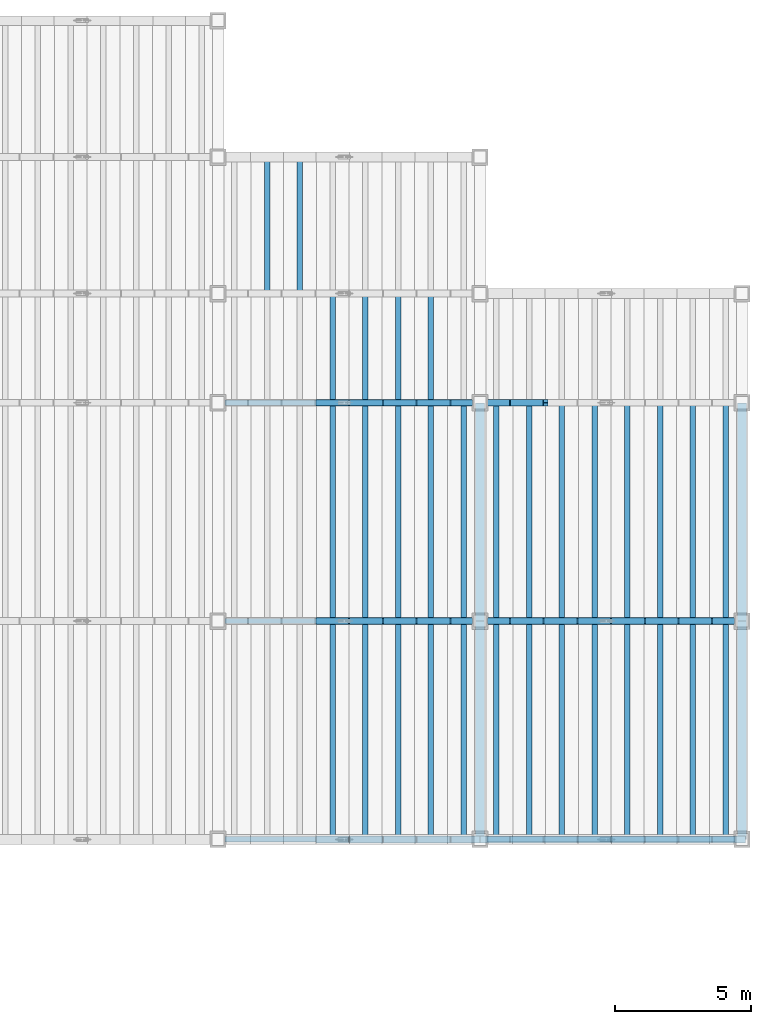
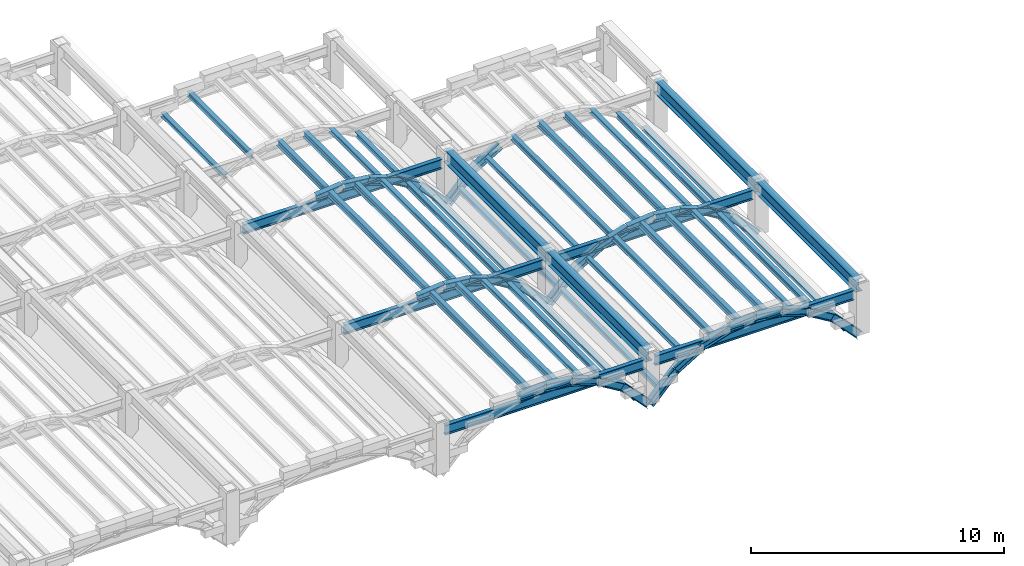
# One storey, part 26 of 70: 65 members, 9 beams.
"""IFC4 building model written with IfcOpenShell, lengths in metres."""

from ifc_helpers import new_model, si_unit, direction, frame, origin, origin_2d, place, context, subcontext, project, spatial, i_section, extrude, material, material_profile, profile_set, type_object, element, save


model = new_model("IFC4")

# Units and contexts
model_context = context("Model", 3, precision=1e-05, world=origin(), true_north=direction((0.0, 1.0)))
body_context = subcontext(model_context, "Body", "Model", "MODEL_VIEW")
ifc_project = project(units=[si_unit("LENGTHUNIT", "METRE"), si_unit("AREAUNIT", "SQUARE_METRE"), si_unit("VOLUMEUNIT", "CUBIC_METRE"), si_unit("PLANEANGLEUNIT", "RADIAN"), si_unit("MASSUNIT", "GRAM", prefix="KILO")], contexts=[model_context])

# Site, building, storey
site_placement = place(None, origin())
site = spatial("IfcSite", under=ifc_project, at=site_placement, CompositionType="ELEMENT")
building_placement = place(site_placement, origin())
building = spatial("IfcBuilding", under=site, at=building_placement, Name="Mavantir Sound Aquarium", CompositionType="ELEMENT")
storey_placement = place(building_placement, frame((0.0, 0.0, 27.0)))
storey = spatial("IfcBuildingStorey", under=building, at=storey_placement, Name="RF", CompositionType="ELEMENT", Elevation=27.0)

# Beams
ifc_material = material(Name="Structural Steel ASTM A992 Gr50", Category="steel")
ifc_material_profile_1 = material_profile(ifc_material, i_section(OverallWidth=0.194091796875, OverallDepth=0.468994140625, WebThickness=0.0126953125, FlangeThickness=0.0205078125, FilletRadius=0.01611328125, at=origin_2d()), Name="W460X106")
ifc_profile_set_1 = profile_set([ifc_material_profile_1], Name="Structural Steel ASTM A992 Gr50")
beam_type_1 = type_object("IfcBeamType", Name="BM-W460X106-I", PredefinedType="BEAM", material=ifc_profile_set_1)
for number, where, z_axis, x_axis, name in (
    (1, (156.25, 40.800048828125, -5.327392578125), (1.0, 0.0, 0.0), (0.0, 1.0, 0.0), "Scalloped bay 6 transverse tie girder 401"),
    (2, (156.25, 48.800048828125, -5.327392578125), (1.0, 0.0, 0.0), (0.0, 1.0, 0.0), "Scalloped bay 6 transverse tie girder 411"),
    (3, (156.25, 56.800048828125, -5.327392578125), (1.0, 0.0, 0.0), (0.0, 1.0, 0.0), "Scalloped bay 6 transverse tie girder 421"),
):
    element("IfcBeam", number, at=place(storey_placement, frame(where, z_axis=z_axis, x_axis=x_axis)), inside=storey, type_object=beam_type_1, Name=name, PredefinedType="BEAM", context=body_context, shape_type="SweptSolid", body=[
        extrude(i_section(OverallWidth=0.194091796875, OverallDepth=0.468994140625, WebThickness=0.0126953125, FlangeThickness=0.0205078125, FilletRadius=0.01611328125, at=origin_2d()), origin(), (0.0, 0.0, 1.0), 9.10009765625),
    ])
for number, where, z_axis, x_axis, name in (
    (4, (165.85009765625, 40.800048828125, -5.327392578125), (1.0, 0.0, 0.0), (0.0, 1.0, 0.0), "Scalloped bay 7 transverse tie girder 451"),
    (5, (165.85009765625, 48.800048828125, -5.327392578125), (1.0, 0.0, 0.0), (0.0, 1.0, 0.0), "Scalloped bay 7 transverse tie girder 461"),
):
    element("IfcBeam", number, at=place(storey_placement, frame(where, z_axis=z_axis, x_axis=x_axis)), inside=storey, type_object=beam_type_1, Name=name, PredefinedType="BEAM", context=body_context, shape_type="SweptSolid", body=[
        extrude(i_section(OverallWidth=0.194091796875, OverallDepth=0.468994140625, WebThickness=0.0126953125, FlangeThickness=0.0205078125, FilletRadius=0.01611328125, at=origin_2d()), origin(), (0.0, 0.0, 1.0), 9.099853515625),
    ])
ifc_material_profile_2 = material_profile(ifc_material, i_section(OverallWidth=0.323974609375, OverallDepth=0.611083984375, WebThickness=0.0126953125, FlangeThickness=0.01904296875, FilletRadius=0.01904296875, at=origin_2d()), Name="W610X155")
ifc_profile_set_2 = profile_set([ifc_material_profile_2], Name="Structural Steel ASTM A992 Gr50")
beam_type_2 = type_object("IfcBeamType", Name="BM-W610X155-E", PredefinedType="BEAM", material=ifc_profile_set_2)
for number, where, z_axis, x_axis, name in (
    (6, (165.60009765625, 40.800048828125, -5.0048828125), (0.0, 1.0, 0.0), (-1.0, 0.0, 0.0), "Scalloped roof straight ridge beam 45"),
    (7, (165.60009765625, 48.800048828125, -5.0048828125), (0.0, 1.0, 0.0), (-1.0, 0.0, 0.0), "Scalloped roof straight ridge beam 46"),
    (8, (175.199951171875, 40.800048828125, -5.0048828125), (0.0, 1.0, 0.0), (-1.0, 0.0, 0.0), "Scalloped roof straight ridge beam 49"),
    (9, (175.199951171875, 48.800048828125, -5.0048828125), (0.0, 1.0, 0.0), (-1.0, 0.0, 0.0), "Scalloped roof straight ridge beam 50"),
):
    element("IfcBeam", number, at=place(storey_placement, frame(where, z_axis=z_axis, x_axis=x_axis)), inside=storey, type_object=beam_type_2, Name=name, PredefinedType="BEAM", context=body_context, shape_type="SweptSolid", body=[
        extrude(i_section(OverallWidth=0.323974609375, OverallDepth=0.611083984375, WebThickness=0.0126953125, FlangeThickness=0.01904296875, FilletRadius=0.01904296875, at=origin_2d()), origin(), (0.0, 0.0, 1.0), 8.0),
    ])

# Members
ifc_material_profile_3 = material_profile(ifc_material, i_section(OverallWidth=0.202880859375, OverallDepth=0.202880859375, WebThickness=0.007080078125, FlangeThickness=0.010986328125, FilletRadius=0.010009765625, at=origin_2d()), Name="W200X46")
ifc_profile_set_3 = profile_set([ifc_material_profile_3], Name="Structural Steel ASTM A992 Gr50")
member_type_1 = type_object("IfcMemberType", Name="MEM-TR-W200", PredefinedType="PURLIN", material=ifc_profile_set_3)
for number, where, z_axis, x_axis, name in (
    (10, (162.60009765625, 40.800048828125, -5.169921875), (0.0, 1.0, 0.0), (-1.0, 0.0, 0.0), "Scalloped bay 6 roof purlin 286"),
    (11, (165.0, 40.800048828125, -6.881103515625), (0.0, 1.0, 0.0), (-1.0, 0.0, 0.0), "Scalloped bay 6 roof purlin 288"),
    (12, (162.60009765625, 48.800048828125, -5.169921875), (0.0, 1.0, 0.0), (-1.0, 0.0, 0.0), "Scalloped bay 6 roof purlin 294"),
    (13, (165.0, 48.800048828125, -6.881103515625), (0.0, 1.0, 0.0), (-1.0, 0.0, 0.0), "Scalloped bay 6 roof purlin 296"),
):
    element("IfcMember", number, at=place(storey_placement, frame(where, z_axis=z_axis, x_axis=x_axis)), inside=storey, type_object=member_type_1, Name=name, PredefinedType="PURLIN", context=body_context, shape_type="SweptSolid", body=[
        extrude(i_section(OverallWidth=0.202880859375, OverallDepth=0.202880859375, WebThickness=0.007080078125, FlangeThickness=0.010986328125, FilletRadius=0.010009765625, at=origin_2d()), origin(), (0.0, 0.0, 1.0), 8.0),
    ])
member_1_placement = place(storey_placement, frame((162.60009765625, 56.800048828125, -5.169921875), z_axis=(0.0, 1.0, 0.0), x_axis=(-1.0, 0.0, 0.0)))
element("IfcMember", 14, at=member_1_placement, inside=storey, type_object=member_type_1, Name="Scalloped bay 6 roof purlin 302", PredefinedType="PURLIN", context=body_context, shape_type="SweptSolid", body=[
    extrude(i_section(OverallWidth=0.202880859375, OverallDepth=0.202880859375, WebThickness=0.007080078125, FlangeThickness=0.010986328125, FilletRadius=0.010009765625, at=origin_2d()), origin(), (0.0, 0.0, 1.0), 4.0),
])
member_2_placement = place(storey_placement, frame((157.800048828125, 60.800048828125, -5.77978515625), z_axis=(0.0, 1.0, 0.0), x_axis=(-1.0, 0.0, 0.0)))
element("IfcMember", 15, at=member_2_placement, inside=storey, type_object=member_type_1, Name="Scalloped bay 6 roof purlin 306", PredefinedType="PURLIN", context=body_context, shape_type="SweptSolid", body=[
    extrude(i_section(OverallWidth=0.202880859375, OverallDepth=0.202880859375, WebThickness=0.007080078125, FlangeThickness=0.010986328125, FilletRadius=0.010009765625, at=origin_2d()), origin(), (0.0, 0.0, 1.0), 5.0),
])
for number, where, z_axis, x_axis, name in (
    (16, (167.39990234375, 40.800048828125, -5.77978515625), (0.0, 1.0, 0.0), (-1.0, 0.0, 0.0), "Scalloped bay 7 roof purlin 314"),
    (17, (172.199951171875, 40.800048828125, -5.169921875), (0.0, 1.0, 0.0), (-1.0, 0.0, 0.0), "Scalloped bay 7 roof purlin 318"),
    (18, (174.60009765625, 40.800048828125, -6.881103515625), (0.0, 1.0, 0.0), (-1.0, 0.0, 0.0), "Scalloped bay 7 roof purlin 320"),
    (19, (167.39990234375, 48.800048828125, -5.77978515625), (0.0, 1.0, 0.0), (-1.0, 0.0, 0.0), "Scalloped bay 7 roof purlin 322"),
    (20, (172.199951171875, 48.800048828125, -5.169921875), (0.0, 1.0, 0.0), (-1.0, 0.0, 0.0), "Scalloped bay 7 roof purlin 326"),
    (21, (174.60009765625, 48.800048828125, -6.881103515625), (0.0, 1.0, 0.0), (-1.0, 0.0, 0.0), "Scalloped bay 7 roof purlin 328"),
):
    element("IfcMember", number, at=place(storey_placement, frame(where, z_axis=z_axis, x_axis=x_axis)), inside=storey, type_object=member_type_1, Name=name, PredefinedType="PURLIN", context=body_context, shape_type="SweptSolid", body=[
        extrude(i_section(OverallWidth=0.202880859375, OverallDepth=0.202880859375, WebThickness=0.007080078125, FlangeThickness=0.010986328125, FilletRadius=0.010009765625, at=origin_2d()), origin(), (0.0, 0.0, 1.0), 8.0),
    ])
ifc_material_profile_4 = material_profile(ifc_material, i_section(OverallWidth=0.202880859375, OverallDepth=0.251953125, WebThickness=0.008056640625, FlangeThickness=0.013427734375, FilletRadius=0.011962890625, at=origin_2d()), Name="W250X58")
ifc_profile_set_4 = profile_set([ifc_material_profile_4], Name="Structural Steel ASTM A992 Gr50")
member_type_2 = type_object("IfcMemberType", Name="MEM-TR-W250", PredefinedType="PURLIN", material=ifc_profile_set_4)
for number, where, z_axis, x_axis, name in (
    (22, (163.800048828125, 40.800048828125, -5.804443359375), (0.0, 1.0, 0.0), (-1.0, 0.0, 0.0), "Scalloped bay 6 roof purlin 287"),
    (23, (163.800048828125, 48.800048828125, -5.804443359375), (0.0, 1.0, 0.0), (-1.0, 0.0, 0.0), "Scalloped bay 6 roof purlin 295"),
):
    element("IfcMember", number, at=place(storey_placement, frame(where, z_axis=z_axis, x_axis=x_axis)), inside=storey, type_object=member_type_2, Name=name, PredefinedType="PURLIN", context=body_context, shape_type="SweptSolid", body=[
        extrude(i_section(OverallWidth=0.202880859375, OverallDepth=0.251953125, WebThickness=0.008056640625, FlangeThickness=0.013427734375, FilletRadius=0.011962890625, at=origin_2d()), origin(), (0.0, 0.0, 1.0), 8.0),
    ])
member_3_placement = place(storey_placement, frame((163.800048828125, 56.800048828125, -5.804443359375), z_axis=(0.0, 1.0, 0.0), x_axis=(-1.0, 0.0, 0.0)))
element("IfcMember", 24, at=member_3_placement, inside=storey, type_object=member_type_2, Name="Scalloped bay 6 roof purlin 303", PredefinedType="PURLIN", context=body_context, shape_type="SweptSolid", body=[
    extrude(i_section(OverallWidth=0.202880859375, OverallDepth=0.251953125, WebThickness=0.008056640625, FlangeThickness=0.013427734375, FilletRadius=0.011962890625, at=origin_2d()), origin(), (0.0, 0.0, 1.0), 4.0),
])
member_4_placement = place(storey_placement, frame((159.0, 60.800048828125, -5.194580078125), z_axis=(0.0, 1.0, 0.0), x_axis=(-1.0, 0.0, 0.0)))
element("IfcMember", 25, at=member_4_placement, inside=storey, type_object=member_type_2, Name="Scalloped bay 6 roof purlin 307", PredefinedType="PURLIN", context=body_context, shape_type="SweptSolid", body=[
    extrude(i_section(OverallWidth=0.202880859375, OverallDepth=0.251953125, WebThickness=0.008056640625, FlangeThickness=0.013427734375, FilletRadius=0.011962890625, at=origin_2d()), origin(), (0.0, 0.0, 1.0), 5.0),
])
for number, where, z_axis, x_axis, name in (
    (26, (166.199951171875, 40.800048828125, -6.90576171875), (0.0, 1.0, 0.0), (-1.0, 0.0, 0.0), "Scalloped bay 7 roof purlin 313"),
    (27, (168.60009765625, 40.800048828125, -5.194580078125), (0.0, 1.0, 0.0), (-1.0, 0.0, 0.0), "Scalloped bay 7 roof purlin 315"),
    (28, (173.39990234375, 40.800048828125, -5.804443359375), (0.0, 1.0, 0.0), (-1.0, 0.0, 0.0), "Scalloped bay 7 roof purlin 319"),
    (29, (166.199951171875, 48.800048828125, -6.90576171875), (0.0, 1.0, 0.0), (-1.0, 0.0, 0.0), "Scalloped bay 7 roof purlin 321"),
    (30, (168.60009765625, 48.800048828125, -5.194580078125), (0.0, 1.0, 0.0), (-1.0, 0.0, 0.0), "Scalloped bay 7 roof purlin 323"),
    (31, (173.39990234375, 48.800048828125, -5.804443359375), (0.0, 1.0, 0.0), (-1.0, 0.0, 0.0), "Scalloped bay 7 roof purlin 327"),
):
    element("IfcMember", number, at=place(storey_placement, frame(where, z_axis=z_axis, x_axis=x_axis)), inside=storey, type_object=member_type_2, Name=name, PredefinedType="PURLIN", context=body_context, shape_type="SweptSolid", body=[
        extrude(i_section(OverallWidth=0.202880859375, OverallDepth=0.251953125, WebThickness=0.008056640625, FlangeThickness=0.013427734375, FilletRadius=0.011962890625, at=origin_2d()), origin(), (0.0, 0.0, 1.0), 8.0),
    ])
ifc_material_profile_5 = material_profile(ifc_material, i_section(OverallWidth=0.205078125, OverallDepth=0.31005859375, WebThickness=0.009521484375, FlangeThickness=0.016357421875, FilletRadius=0.012939453125, at=origin_2d()), Name="W310X74")
ifc_profile_set_5 = profile_set([ifc_material_profile_5], Name="Structural Steel ASTM A992 Gr50")
member_type_3 = type_object("IfcMemberType", Name="MEM-TR-W310", PredefinedType="RAFTER", material=ifc_profile_set_5)
for number, where, z_axis, x_axis, name in (
    (32, (160.199951171875, 40.800048828125, -4.933837890625), (0.0, 1.0, 0.0), (-1.0, 0.0, 0.0), "Scalloped bay 6 roof purlin 284"),
    (33, (161.39990234375, 40.800048828125, -4.933837890625), (0.0, 1.0, 0.0), (-1.0, 0.0, 0.0), "Scalloped bay 6 roof purlin 285"),
    (34, (160.199951171875, 48.800048828125, -4.933837890625), (0.0, 1.0, 0.0), (-1.0, 0.0, 0.0), "Scalloped bay 6 roof purlin 292"),
    (35, (161.39990234375, 48.800048828125, -4.933837890625), (0.0, 1.0, 0.0), (-1.0, 0.0, 0.0), "Scalloped bay 6 roof purlin 293"),
):
    element("IfcMember", number, at=place(storey_placement, frame(where, z_axis=z_axis, x_axis=x_axis)), inside=storey, type_object=member_type_3, Name=name, PredefinedType="RAFTER", context=body_context, shape_type="SweptSolid", body=[
        extrude(i_section(OverallWidth=0.205078125, OverallDepth=0.31005859375, WebThickness=0.009521484375, FlangeThickness=0.016357421875, FilletRadius=0.012939453125, at=origin_2d()), origin(), (0.0, 0.0, 1.0), 8.0),
    ])
for number, where, z_axis, x_axis, name in (
    (36, (160.199951171875, 56.800048828125, -4.933837890625), (0.0, 1.0, 0.0), (-1.0, 0.0, 0.0), "Scalloped bay 6 roof purlin 300"),
    (37, (161.39990234375, 56.800048828125, -4.933837890625), (0.0, 1.0, 0.0), (-1.0, 0.0, 0.0), "Scalloped bay 6 roof purlin 301"),
):
    element("IfcMember", number, at=place(storey_placement, frame(where, z_axis=z_axis, x_axis=x_axis)), inside=storey, type_object=member_type_3, Name=name, PredefinedType="RAFTER", context=body_context, shape_type="SweptSolid", body=[
        extrude(i_section(OverallWidth=0.205078125, OverallDepth=0.31005859375, WebThickness=0.009521484375, FlangeThickness=0.016357421875, FilletRadius=0.012939453125, at=origin_2d()), origin(), (0.0, 0.0, 1.0), 4.0),
    ])
for number, where, z_axis, x_axis, name in (
    (38, (169.800048828125, 40.800048828125, -4.933837890625), (0.0, 1.0, 0.0), (-1.0, 0.0, 0.0), "Scalloped bay 7 roof purlin 316"),
    (39, (171.0, 40.800048828125, -4.933837890625), (0.0, 1.0, 0.0), (-1.0, 0.0, 0.0), "Scalloped bay 7 roof purlin 317"),
    (40, (169.800048828125, 48.800048828125, -4.933837890625), (0.0, 1.0, 0.0), (-1.0, 0.0, 0.0), "Scalloped bay 7 roof purlin 324"),
    (41, (171.0, 48.800048828125, -4.933837890625), (0.0, 1.0, 0.0), (-1.0, 0.0, 0.0), "Scalloped bay 7 roof purlin 325"),
):
    element("IfcMember", number, at=place(storey_placement, frame(where, z_axis=z_axis, x_axis=x_axis)), inside=storey, type_object=member_type_3, Name=name, PredefinedType="RAFTER", context=body_context, shape_type="SweptSolid", body=[
        extrude(i_section(OverallWidth=0.205078125, OverallDepth=0.31005859375, WebThickness=0.009521484375, FlangeThickness=0.016357421875, FilletRadius=0.012939453125, at=origin_2d()), origin(), (0.0, 0.0, 1.0), 8.0),
    ])
ifc_material_profile_6 = material_profile(ifc_material, i_section(OverallWidth=0.25390625, OverallDepth=0.35302734375, WebThickness=0.009521484375, FlangeThickness=0.016357421875, FilletRadius=0.014892578125, at=origin_2d()), Name="W360X91")
ifc_profile_set_6 = profile_set([ifc_material_profile_6], Name="Structural Steel ASTM A992 Gr50")
member_type_4 = type_object("IfcMemberType", Name="MEM-TR-W360", PredefinedType="RAFTER", material=ifc_profile_set_6)
for number, where, z_axis, x_axis, name in (
    (42, (159.60009765625, 40.800048828125, -5.000732421875), (0.994680359373, 0.0, 0.103009624196), (0.0, 1.0, 0.0), "Scalloped bay 6 sagging-arc trough rib 405"),
    (43, (160.800048828125, 40.800048828125, -4.87646484375), (0.994680359373, 0.0, -0.103009624196), (0.0, 1.0, 0.0), "Scalloped bay 6 sagging-arc trough rib 406"),
):
    element("IfcMember", number, at=place(storey_placement, frame(where, z_axis=z_axis, x_axis=x_axis)), inside=storey, type_object=member_type_4, Name=name, PredefinedType="RAFTER", context=body_context, shape_type="SweptSolid", body=[
        extrude(i_section(OverallWidth=0.25390625, OverallDepth=0.35302734375, WebThickness=0.009521484375, FlangeThickness=0.016357421875, FilletRadius=0.014892578125, at=origin_2d()), origin(), (0.0, 0.0, 1.0), 1.206298828125),
    ])
member_5_placement = place(storey_placement, frame((162.0, 40.800048828125, -5.000732421875), z_axis=(0.951055396379, 0.0, -0.309020441102), x_axis=(0.0, 1.0, 0.0)))
element("IfcMember", 44, at=member_5_placement, inside=storey, type_object=member_type_4, Name="Scalloped bay 6 sagging-arc trough rib 408", PredefinedType="RAFTER", context=body_context, shape_type="SweptSolid", body=[
    extrude(i_section(OverallWidth=0.25390625, OverallDepth=0.35302734375, WebThickness=0.009521484375, FlangeThickness=0.016357421875, FilletRadius=0.014892578125, at=origin_2d()), origin(), (0.0, 0.0, 1.0), 1.26171875),
])
member_6_placement = place(storey_placement, frame((163.199951171875, 40.800048828125, -5.390625), z_axis=(0.856645937356, 0.0, -0.515904776109), x_axis=(0.0, 1.0, 0.0)))
element("IfcMember", 45, at=member_6_placement, inside=storey, type_object=member_type_4, Name="Scalloped bay 6 sagging-arc trough rib 409", PredefinedType="RAFTER", context=body_context, shape_type="SweptSolid", body=[
    extrude(i_section(OverallWidth=0.25390625, OverallDepth=0.35302734375, WebThickness=0.009521484375, FlangeThickness=0.016357421875, FilletRadius=0.014892578125, at=origin_2d()), origin(), (0.0, 0.0, 1.0), 1.400634765625),
])
member_7_placement = place(storey_placement, frame((164.39990234375, 40.800048828125, -6.11328125), z_axis=(0.688801013332, 0.0, -0.724950456261), x_axis=(0.0, 1.0, 0.0)))
element("IfcMember", 46, at=member_7_placement, inside=storey, type_object=member_type_4, Name="Scalloped bay 6 sagging-arc trough rib 410", PredefinedType="RAFTER", context=body_context, shape_type="SweptSolid", body=[
    extrude(i_section(OverallWidth=0.25390625, OverallDepth=0.35302734375, WebThickness=0.009521484375, FlangeThickness=0.016357421875, FilletRadius=0.014892578125, at=origin_2d()), origin(), (0.0, 0.0, 1.0), 1.742431640625),
])
for number, where, z_axis, x_axis, name in (
    (47, (159.60009765625, 48.800048828125, -5.000732421875), (0.994680359373, 0.0, 0.103009624196), (0.0, 1.0, 0.0), "Scalloped bay 6 sagging-arc trough rib 415"),
    (48, (160.800048828125, 48.800048828125, -4.87646484375), (0.994680359373, 0.0, -0.103009624196), (0.0, 1.0, 0.0), "Scalloped bay 6 sagging-arc trough rib 416"),
):
    element("IfcMember", number, at=place(storey_placement, frame(where, z_axis=z_axis, x_axis=x_axis)), inside=storey, type_object=member_type_4, Name=name, PredefinedType="RAFTER", context=body_context, shape_type="SweptSolid", body=[
        extrude(i_section(OverallWidth=0.25390625, OverallDepth=0.35302734375, WebThickness=0.009521484375, FlangeThickness=0.016357421875, FilletRadius=0.014892578125, at=origin_2d()), origin(), (0.0, 0.0, 1.0), 1.206298828125),
    ])
member_8_placement = place(storey_placement, frame((162.0, 48.800048828125, -5.000732421875), z_axis=(0.951055396379, 0.0, -0.309020441102), x_axis=(0.0, 1.0, 0.0)))
element("IfcMember", 49, at=member_8_placement, inside=storey, type_object=member_type_4, Name="Scalloped bay 6 sagging-arc trough rib 418", PredefinedType="RAFTER", context=body_context, shape_type="SweptSolid", body=[
    extrude(i_section(OverallWidth=0.25390625, OverallDepth=0.35302734375, WebThickness=0.009521484375, FlangeThickness=0.016357421875, FilletRadius=0.014892578125, at=origin_2d()), origin(), (0.0, 0.0, 1.0), 1.26171875),
])
member_9_placement = place(storey_placement, frame((163.199951171875, 48.800048828125, -5.390625), z_axis=(0.856645937356, 0.0, -0.515904776109), x_axis=(0.0, 1.0, 0.0)))
element("IfcMember", 50, at=member_9_placement, inside=storey, type_object=member_type_4, Name="Scalloped bay 6 sagging-arc trough rib 419", PredefinedType="RAFTER", context=body_context, shape_type="SweptSolid", body=[
    extrude(i_section(OverallWidth=0.25390625, OverallDepth=0.35302734375, WebThickness=0.009521484375, FlangeThickness=0.016357421875, FilletRadius=0.014892578125, at=origin_2d()), origin(), (0.0, 0.0, 1.0), 1.400634765625),
])
member_10_placement = place(storey_placement, frame((164.39990234375, 48.800048828125, -6.11328125), z_axis=(0.688801013332, 0.0, -0.724950456261), x_axis=(0.0, 1.0, 0.0)))
element("IfcMember", 51, at=member_10_placement, inside=storey, type_object=member_type_4, Name="Scalloped bay 6 sagging-arc trough rib 420", PredefinedType="RAFTER", context=body_context, shape_type="SweptSolid", body=[
    extrude(i_section(OverallWidth=0.25390625, OverallDepth=0.35302734375, WebThickness=0.009521484375, FlangeThickness=0.016357421875, FilletRadius=0.014892578125, at=origin_2d()), origin(), (0.0, 0.0, 1.0), 1.742431640625),
])
for number, where, z_axis, x_axis, name in (
    (52, (159.60009765625, 56.800048828125, -5.000732421875), (0.994680359373, 0.0, 0.103009624196), (0.0, 1.0, 0.0), "Scalloped bay 6 sagging-arc trough rib 425"),
    (53, (160.800048828125, 56.800048828125, -4.87646484375), (0.994680359373, 0.0, -0.103009624196), (0.0, 1.0, 0.0), "Scalloped bay 6 sagging-arc trough rib 426"),
):
    element("IfcMember", number, at=place(storey_placement, frame(where, z_axis=z_axis, x_axis=x_axis)), inside=storey, type_object=member_type_4, Name=name, PredefinedType="RAFTER", context=body_context, shape_type="SweptSolid", body=[
        extrude(i_section(OverallWidth=0.25390625, OverallDepth=0.35302734375, WebThickness=0.009521484375, FlangeThickness=0.016357421875, FilletRadius=0.014892578125, at=origin_2d()), origin(), (0.0, 0.0, 1.0), 1.206298828125),
    ])
member_11_placement = place(storey_placement, frame((162.0, 56.800048828125, -5.000732421875), z_axis=(0.951055396379, 0.0, -0.309020441102), x_axis=(0.0, 1.0, 0.0)))
element("IfcMember", 54, at=member_11_placement, inside=storey, type_object=member_type_4, Name="Scalloped bay 6 sagging-arc trough rib 428", PredefinedType="RAFTER", context=body_context, shape_type="SweptSolid", body=[
    extrude(i_section(OverallWidth=0.25390625, OverallDepth=0.35302734375, WebThickness=0.009521484375, FlangeThickness=0.016357421875, FilletRadius=0.014892578125, at=origin_2d()), origin(), (0.0, 0.0, 1.0), 1.26171875),
])
member_12_placement = place(storey_placement, frame((163.199951171875, 56.800048828125, -5.390625), z_axis=(0.856645937356, 0.0, -0.515904776109), x_axis=(0.0, 1.0, 0.0)))
element("IfcMember", 55, at=member_12_placement, inside=storey, type_object=member_type_4, Name="Scalloped bay 6 sagging-arc trough rib 429", PredefinedType="RAFTER", context=body_context, shape_type="SweptSolid", body=[
    extrude(i_section(OverallWidth=0.25390625, OverallDepth=0.35302734375, WebThickness=0.009521484375, FlangeThickness=0.016357421875, FilletRadius=0.014892578125, at=origin_2d()), origin(), (0.0, 0.0, 1.0), 1.400634765625),
])
member_13_placement = place(storey_placement, frame((164.39990234375, 56.800048828125, -6.11328125), z_axis=(0.688801013332, 0.0, -0.724950456261), x_axis=(0.0, 1.0, 0.0)))
element("IfcMember", 56, at=member_13_placement, inside=storey, type_object=member_type_4, Name="Scalloped bay 6 sagging-arc trough rib 430", PredefinedType="RAFTER", context=body_context, shape_type="SweptSolid", body=[
    extrude(i_section(OverallWidth=0.25390625, OverallDepth=0.35302734375, WebThickness=0.009521484375, FlangeThickness=0.016357421875, FilletRadius=0.014892578125, at=origin_2d()), origin(), (0.0, 0.0, 1.0), 1.742431640625),
])
member_14_placement = place(storey_placement, frame((165.60009765625, 40.800048828125, -7.37646484375), z_axis=(0.688727365252, 0.0, 0.725020424784), x_axis=(0.0, 1.0, 0.0)))
element("IfcMember", 57, at=member_14_placement, inside=storey, type_object=member_type_4, Name="Scalloped bay 7 sagging-arc trough rib 452", PredefinedType="RAFTER", context=body_context, shape_type="SweptSolid", body=[
    extrude(i_section(OverallWidth=0.25390625, OverallDepth=0.35302734375, WebThickness=0.009521484375, FlangeThickness=0.016357421875, FilletRadius=0.014892578125, at=origin_2d()), origin(), (0.0, 0.0, 1.0), 1.7421875),
])
member_15_placement = place(storey_placement, frame((166.800048828125, 40.800048828125, -6.11328125), z_axis=(0.856645937356, 0.0, 0.515904776109), x_axis=(0.0, 1.0, 0.0)))
element("IfcMember", 58, at=member_15_placement, inside=storey, type_object=member_type_4, Name="Scalloped bay 7 sagging-arc trough rib 453", PredefinedType="RAFTER", context=body_context, shape_type="SweptSolid", body=[
    extrude(i_section(OverallWidth=0.25390625, OverallDepth=0.35302734375, WebThickness=0.009521484375, FlangeThickness=0.016357421875, FilletRadius=0.014892578125, at=origin_2d()), origin(), (0.0, 0.0, 1.0), 1.400634765625),
])
member_16_placement = place(storey_placement, frame((168.0, 40.800048828125, -5.390625), z_axis=(0.951055396379, 0.0, 0.309020441102), x_axis=(0.0, 1.0, 0.0)))
element("IfcMember", 59, at=member_16_placement, inside=storey, type_object=member_type_4, Name="Scalloped bay 7 sagging-arc trough rib 454", PredefinedType="RAFTER", context=body_context, shape_type="SweptSolid", body=[
    extrude(i_section(OverallWidth=0.25390625, OverallDepth=0.35302734375, WebThickness=0.009521484375, FlangeThickness=0.016357421875, FilletRadius=0.014892578125, at=origin_2d()), origin(), (0.0, 0.0, 1.0), 1.26171875),
])
member_17_placement = place(storey_placement, frame((169.199951171875, 40.800048828125, -5.000732421875), z_axis=(0.994680359373, 0.0, 0.103009624196), x_axis=(0.0, 1.0, 0.0)))
element("IfcMember", 60, at=member_17_placement, inside=storey, type_object=member_type_4, Name="Scalloped bay 7 sagging-arc trough rib 455", PredefinedType="RAFTER", context=body_context, shape_type="SweptSolid", body=[
    extrude(i_section(OverallWidth=0.25390625, OverallDepth=0.35302734375, WebThickness=0.009521484375, FlangeThickness=0.016357421875, FilletRadius=0.014892578125, at=origin_2d()), origin(), (0.0, 0.0, 1.0), 1.206298828125),
])
member_18_placement = place(storey_placement, frame((170.39990234375, 40.800048828125, -4.87646484375), z_axis=(0.994682506138, 0.0, -0.102988892519), x_axis=(0.0, 1.0, 0.0)))
element("IfcMember", 61, at=member_18_placement, inside=storey, type_object=member_type_4, Name="Scalloped bay 7 sagging-arc trough rib 456", PredefinedType="RAFTER", context=body_context, shape_type="SweptSolid", body=[
    extrude(i_section(OverallWidth=0.25390625, OverallDepth=0.35302734375, WebThickness=0.009521484375, FlangeThickness=0.016357421875, FilletRadius=0.014892578125, at=origin_2d()), origin(), (0.0, 0.0, 1.0), 1.20654296875),
])
member_19_placement = place(storey_placement, frame((171.60009765625, 40.800048828125, -5.000732421875), z_axis=(0.951055396379, 0.0, -0.309020441102), x_axis=(0.0, 1.0, 0.0)))
element("IfcMember", 62, at=member_19_placement, inside=storey, type_object=member_type_4, Name="Scalloped bay 7 sagging-arc trough rib 458", PredefinedType="RAFTER", context=body_context, shape_type="SweptSolid", body=[
    extrude(i_section(OverallWidth=0.25390625, OverallDepth=0.35302734375, WebThickness=0.009521484375, FlangeThickness=0.016357421875, FilletRadius=0.014892578125, at=origin_2d()), origin(), (0.0, 0.0, 1.0), 1.26171875),
])
member_20_placement = place(storey_placement, frame((172.800048828125, 40.800048828125, -5.390625), z_axis=(0.856645937356, 0.0, -0.515904776109), x_axis=(0.0, 1.0, 0.0)))
element("IfcMember", 63, at=member_20_placement, inside=storey, type_object=member_type_4, Name="Scalloped bay 7 sagging-arc trough rib 459", PredefinedType="RAFTER", context=body_context, shape_type="SweptSolid", body=[
    extrude(i_section(OverallWidth=0.25390625, OverallDepth=0.35302734375, WebThickness=0.009521484375, FlangeThickness=0.016357421875, FilletRadius=0.014892578125, at=origin_2d()), origin(), (0.0, 0.0, 1.0), 1.400634765625),
])
for number, where, z_axis, x_axis, name in (
    (64, (174.0, 40.800048828125, -6.11328125), (0.688727365252, 0.0, -0.725020424784), (0.0, 1.0, 0.0), "Scalloped bay 7 sagging-arc trough rib 460"),
    (65, (165.60009765625, 48.800048828125, -7.37646484375), (0.688727365252, 0.0, 0.725020424784), (0.0, 1.0, 0.0), "Scalloped bay 7 sagging-arc trough rib 462"),
):
    element("IfcMember", number, at=place(storey_placement, frame(where, z_axis=z_axis, x_axis=x_axis)), inside=storey, type_object=member_type_4, Name=name, PredefinedType="RAFTER", context=body_context, shape_type="SweptSolid", body=[
        extrude(i_section(OverallWidth=0.25390625, OverallDepth=0.35302734375, WebThickness=0.009521484375, FlangeThickness=0.016357421875, FilletRadius=0.014892578125, at=origin_2d()), origin(), (0.0, 0.0, 1.0), 1.7421875),
    ])
member_21_placement = place(storey_placement, frame((166.800048828125, 48.800048828125, -6.11328125), z_axis=(0.856645937356, 0.0, 0.515904776109), x_axis=(0.0, 1.0, 0.0)))
element("IfcMember", 66, at=member_21_placement, inside=storey, type_object=member_type_4, Name="Scalloped bay 7 sagging-arc trough rib 463", PredefinedType="RAFTER", context=body_context, shape_type="SweptSolid", body=[
    extrude(i_section(OverallWidth=0.25390625, OverallDepth=0.35302734375, WebThickness=0.009521484375, FlangeThickness=0.016357421875, FilletRadius=0.014892578125, at=origin_2d()), origin(), (0.0, 0.0, 1.0), 1.400634765625),
])
member_22_placement = place(storey_placement, frame((168.0, 48.800048828125, -5.390625), z_axis=(0.951055396379, 0.0, 0.309020441102), x_axis=(0.0, 1.0, 0.0)))
element("IfcMember", 67, at=member_22_placement, inside=storey, type_object=member_type_4, Name="Scalloped bay 7 sagging-arc trough rib 464", PredefinedType="RAFTER", context=body_context, shape_type="SweptSolid", body=[
    extrude(i_section(OverallWidth=0.25390625, OverallDepth=0.35302734375, WebThickness=0.009521484375, FlangeThickness=0.016357421875, FilletRadius=0.014892578125, at=origin_2d()), origin(), (0.0, 0.0, 1.0), 1.26171875),
])
member_23_placement = place(storey_placement, frame((169.199951171875, 48.800048828125, -5.000732421875), z_axis=(0.994680359373, 0.0, 0.103009624196), x_axis=(0.0, 1.0, 0.0)))
element("IfcMember", 68, at=member_23_placement, inside=storey, type_object=member_type_4, Name="Scalloped bay 7 sagging-arc trough rib 465", PredefinedType="RAFTER", context=body_context, shape_type="SweptSolid", body=[
    extrude(i_section(OverallWidth=0.25390625, OverallDepth=0.35302734375, WebThickness=0.009521484375, FlangeThickness=0.016357421875, FilletRadius=0.014892578125, at=origin_2d()), origin(), (0.0, 0.0, 1.0), 1.206298828125),
])
member_24_placement = place(storey_placement, frame((170.39990234375, 48.800048828125, -4.87646484375), z_axis=(0.994682506138, 0.0, -0.102988892519), x_axis=(0.0, 1.0, 0.0)))
element("IfcMember", 69, at=member_24_placement, inside=storey, type_object=member_type_4, Name="Scalloped bay 7 sagging-arc trough rib 466", PredefinedType="RAFTER", context=body_context, shape_type="SweptSolid", body=[
    extrude(i_section(OverallWidth=0.25390625, OverallDepth=0.35302734375, WebThickness=0.009521484375, FlangeThickness=0.016357421875, FilletRadius=0.014892578125, at=origin_2d()), origin(), (0.0, 0.0, 1.0), 1.20654296875),
])
member_25_placement = place(storey_placement, frame((171.60009765625, 48.800048828125, -5.000732421875), z_axis=(0.951055396379, 0.0, -0.309020441102), x_axis=(0.0, 1.0, 0.0)))
element("IfcMember", 70, at=member_25_placement, inside=storey, type_object=member_type_4, Name="Scalloped bay 7 sagging-arc trough rib 468", PredefinedType="RAFTER", context=body_context, shape_type="SweptSolid", body=[
    extrude(i_section(OverallWidth=0.25390625, OverallDepth=0.35302734375, WebThickness=0.009521484375, FlangeThickness=0.016357421875, FilletRadius=0.014892578125, at=origin_2d()), origin(), (0.0, 0.0, 1.0), 1.26171875),
])
member_26_placement = place(storey_placement, frame((172.800048828125, 48.800048828125, -5.390625), z_axis=(0.856645937356, 0.0, -0.515904776109), x_axis=(0.0, 1.0, 0.0)))
element("IfcMember", 71, at=member_26_placement, inside=storey, type_object=member_type_4, Name="Scalloped bay 7 sagging-arc trough rib 469", PredefinedType="RAFTER", context=body_context, shape_type="SweptSolid", body=[
    extrude(i_section(OverallWidth=0.25390625, OverallDepth=0.35302734375, WebThickness=0.009521484375, FlangeThickness=0.016357421875, FilletRadius=0.014892578125, at=origin_2d()), origin(), (0.0, 0.0, 1.0), 1.400634765625),
])
for number, where, z_axis, x_axis, name in (
    (72, (174.0, 48.800048828125, -6.11328125), (0.688727365252, 0.0, -0.725020424784), (0.0, 1.0, 0.0), "Scalloped bay 7 sagging-arc trough rib 470"),
    (73, (165.60009765625, 56.800048828125, -7.37646484375), (0.688727365252, 0.0, 0.725020424784), (0.0, 1.0, 0.0), "Scalloped bay 7 sagging-arc trough rib 472"),
):
    element("IfcMember", number, at=place(storey_placement, frame(where, z_axis=z_axis, x_axis=x_axis)), inside=storey, type_object=member_type_4, Name=name, PredefinedType="RAFTER", context=body_context, shape_type="SweptSolid", body=[
        extrude(i_section(OverallWidth=0.25390625, OverallDepth=0.35302734375, WebThickness=0.009521484375, FlangeThickness=0.016357421875, FilletRadius=0.014892578125, at=origin_2d()), origin(), (0.0, 0.0, 1.0), 1.7421875),
    ])
member_27_placement = place(storey_placement, frame((166.800048828125, 56.800048828125, -6.11328125), z_axis=(0.856645937356, 0.0, 0.515904776109), x_axis=(0.0, 1.0, 0.0)))
element("IfcMember", 74, at=member_27_placement, inside=storey, type_object=member_type_4, Name="Scalloped bay 7 sagging-arc trough rib 473", PredefinedType="RAFTER", context=body_context, shape_type="SweptSolid", body=[
    extrude(i_section(OverallWidth=0.25390625, OverallDepth=0.35302734375, WebThickness=0.009521484375, FlangeThickness=0.016357421875, FilletRadius=0.014892578125, at=origin_2d()), origin(), (0.0, 0.0, 1.0), 1.400634765625),
])

save(model, "model.ifc")
